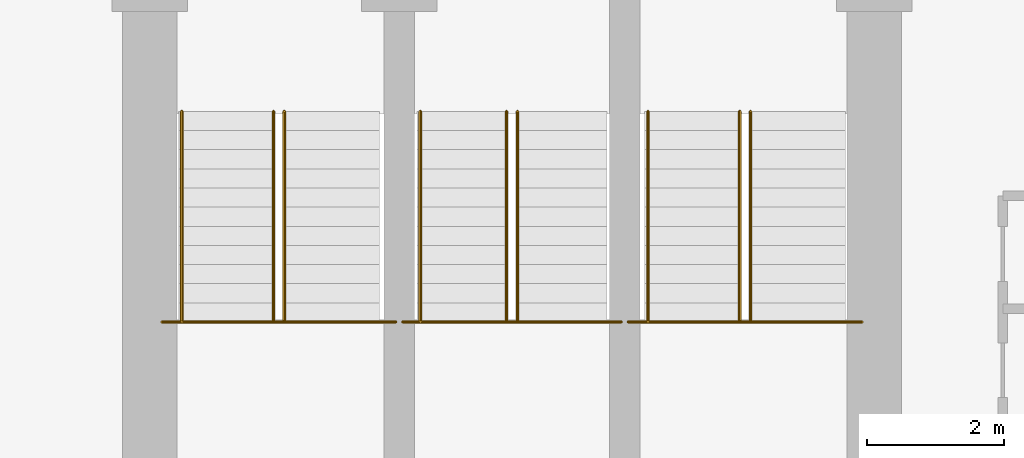
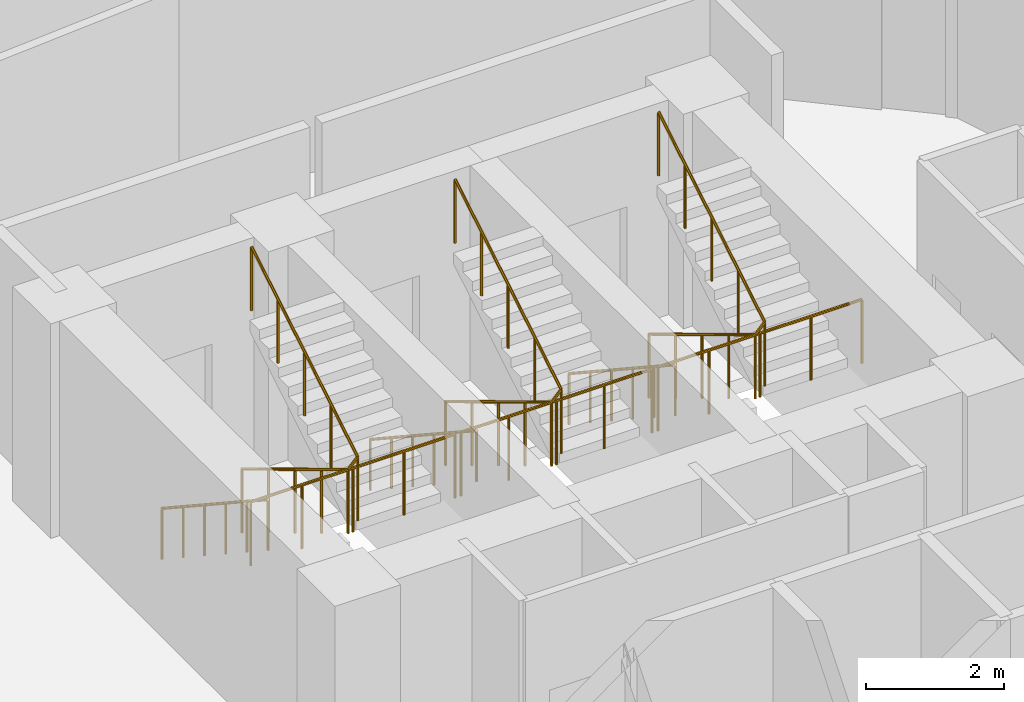
# One storey, part 25 of 25: 9 railings.
"""IFC4 building model written with IfcOpenShell, lengths in metres."""

from ifc_helpers import new_model, si_unit, direction, frame, origin, place, context, subcontext, project, spatial, polyline, outline, extrude, material, type_object, element, save


model = new_model("IFC4")

# Units and contexts
model_context = context("Model", 3, precision=1e-05, world=origin(), true_north=direction((0.0, 1.0)))
body_context = subcontext(model_context, "Body", "Model", "MODEL_VIEW")
ifc_project = project(units=[si_unit("LENGTHUNIT", "METRE"), si_unit("AREAUNIT", "SQUARE_METRE"), si_unit("VOLUMEUNIT", "CUBIC_METRE"), si_unit("PLANEANGLEUNIT", "RADIAN"), si_unit("MASSUNIT", "GRAM", prefix="KILO")], contexts=[model_context])

# Site, building, storey
site_placement = place(None, origin())
site = spatial("IfcSite", under=ifc_project, at=site_placement, CompositionType="ELEMENT")
building_placement = place(site_placement, origin())
building = spatial("IfcBuilding", under=site, at=building_placement, Name="Nuhasar Tower", CompositionType="ELEMENT")
storey_placement = place(building_placement, frame((0.0, 0.0, 57.449951171875)))
storey = spatial("IfcBuildingStorey", under=building, at=storey_placement, Name="L13", CompositionType="ELEMENT", Elevation=57.449951171875)

# Railings
ifc_material_1 = material(Name="Steel S355", Category="steel")
railing_type_1 = type_object("IfcRailingType", Name="RLG-STAIR-GUARD-1150", PredefinedType="GUARDRAIL", material=ifc_material_1)
railing_1_placement = place(storey_placement, frame((33.8798828125, 32.205078125, 2.025146484375)))
element("IfcRailing", 1, at=railing_1_placement, inside=storey, type_object=railing_type_1, Name="L13 Stair ST-01 Guardrail LND", PredefinedType="GUARDRAIL", context=body_context, shape_type="SweptSolid", body=[
    extrude(outline(polyline([(0.024169921875, 0.0), (0.01708984375, 0.01708984375), (0.0, 0.024169921875), (-0.01708984375, 0.01708984375), (-0.024169921875, 0.0), (-0.01708984375, -0.01708984375), (0.0, -0.024169921875), (0.01708984375, -0.01708984375), (0.024169921875, 0.0)])), frame((0.0, 0.0, 1.1259765625), z_axis=(1.0, 0.0, 0.0), x_axis=(0.0, 1.0, 0.0)), (0.0, 0.0, 1.0), 3.420166015625),
    extrude(outline(polyline([(0.02099609375, 0.0), (0.014892578125, 0.014892578125), (0.0, 0.02099609375), (-0.014892578125, 0.014892578125), (-0.02099609375, 0.0), (-0.014892578125, -0.014892578125), (0.0, -0.02099609375), (0.014892578125, -0.014892578125), (0.02099609375, 0.0)])), origin(), (0.0, 0.0, 1.0), 1.101806640625),
    extrude(outline(polyline([(0.02099609375, 0.0), (0.014892578125, 0.014892578125), (0.0, 0.02099609375), (-0.014892578125, 0.014892578125), (-0.02099609375, 0.0), (-0.014892578125, -0.014892578125), (0.0, -0.02099609375), (0.014892578125, -0.014892578125), (0.02099609375, 0.0)])), frame((0.85498046875, 0.0, 0.0)), (0.0, 0.0, 1.0), 1.101806640625),
    extrude(outline(polyline([(0.02099609375, 0.0), (0.014892578125, 0.014892578125), (0.0, 0.02099609375), (-0.014892578125, 0.014892578125), (-0.02099609375, 0.0), (-0.014892578125, -0.014892578125), (0.0, -0.02099609375), (0.014892578125, -0.014892578125), (0.02099609375, 0.0)])), frame((1.7099609375, 0.0, 0.0)), (0.0, 0.0, 1.0), 1.101806640625),
    extrude(outline(polyline([(0.02099609375, 0.0), (0.014892578125, 0.014892578125), (0.0, 0.02099609375), (-0.014892578125, 0.014892578125), (-0.02099609375, 0.0), (-0.014892578125, -0.014892578125), (0.0, -0.02099609375), (0.014892578125, -0.014892578125), (0.02099609375, 0.0)])), frame((2.565185546875, 0.0, 0.0)), (0.0, 0.0, 1.0), 1.101806640625),
    extrude(outline(polyline([(0.02099609375, 0.0), (0.014892578125, 0.014892578125), (0.0, 0.02099609375), (-0.014892578125, 0.014892578125), (-0.02099609375, 0.0), (-0.014892578125, -0.014892578125), (0.0, -0.02099609375), (0.014892578125, -0.014892578125), (0.02099609375, 0.0)])), frame((3.420166015625, 0.0, 0.0)), (0.0, 0.0, 1.0), 1.101806640625),
])
railing_2_placement = place(storey_placement, frame((35.510009765625, 35.284912109375, 0.1689453125)))
element("IfcRailing", 2, at=railing_2_placement, inside=storey, type_object=railing_type_1, Name="L13 Stair ST-01 Guardrail SLT", PredefinedType="GUARDRAIL", context=body_context, shape_type="SweptSolid", body=[
    extrude(outline(polyline([(0.024169921875, 0.0), (0.01708984375, 0.01708984375), (0.0, 0.024169921875), (-0.01708984375, 0.01708984375), (-0.024169921875, 0.0), (-0.01708984375, -0.01708984375), (0.0, -0.024169921875), (0.01708984375, -0.01708984375), (0.024169921875, 0.0)])), frame((0.0, 0.0, 1.1259765625), z_axis=(0.0, -0.8564728477, 0.51619207777), x_axis=(1.0, 0.0, 0.0)), (0.0, 0.0, 1.0), 3.595947265625),
    extrude(outline(polyline([(0.024169921875, 0.0), (0.01708984375, 0.01708984375), (0.0, 0.024169921875), (-0.01708984375, 0.01708984375), (-0.024169921875, 0.0), (-0.01708984375, -0.01708984375), (0.0, -0.024169921875), (0.01708984375, -0.01708984375), (0.024169921875, 0.0)])), frame((0.0, -3.079833984375, 2.98193359375), z_axis=(0.687424367727, 0.0, 0.726255973232), x_axis=(0.0, 1.0, 0.0)), (0.0, 0.0, 1.0), 0.232666015625),
    extrude(outline(polyline([(0.024169921875, 0.0), (0.01708984375, 0.01708984375), (0.0, 0.024169921875), (-0.01708984375, 0.01708984375), (-0.024169921875, 0.0), (-0.01708984375, -0.01708984375), (0.0, -0.024169921875), (0.01708984375, -0.01708984375), (0.024169921875, 0.0)])), frame((0.159912109375, -3.079833984375, 3.15087890625), z_axis=(0.0, 0.856502863198, 0.516142272377), x_axis=(-1.0, 0.0, 0.0)), (0.0, 0.0, 1.0), 3.595703125),
    extrude(outline(polyline([(0.02099609375, 0.0), (0.014892578125, 0.014892578125), (0.0, 0.02099609375), (-0.014892578125, 0.014892578125), (-0.02099609375, 0.0), (-0.014892578125, -0.014892578125), (0.0, -0.02099609375), (0.014892578125, -0.014892578125), (0.02099609375, 0.0)])), origin(), (0.0, 0.0, 1.0), 1.101806640625),
    extrude(outline(polyline([(0.02099609375, 0.0), (0.014892578125, 0.014892578125), (0.0, 0.02099609375), (-0.014892578125, 0.014892578125), (-0.02099609375, 0.0), (-0.014892578125, -0.014892578125), (0.0, -0.02099609375), (0.014892578125, -0.014892578125), (0.02099609375, 0.0)])), frame((0.0, -0.77001953125, 0.464111328125)), (0.0, 0.0, 1.0), 1.101806640625),
    extrude(outline(polyline([(0.02099609375, 0.0), (0.014892578125, 0.014892578125), (0.0, 0.02099609375), (-0.014892578125, 0.014892578125), (-0.02099609375, 0.0), (-0.014892578125, -0.014892578125), (0.0, -0.02099609375), (0.014892578125, -0.014892578125), (0.02099609375, 0.0)])), frame((0.0, -1.5400390625, 0.92822265625)), (0.0, 0.0, 1.0), 1.101806640625),
    extrude(outline(polyline([(0.02099609375, 0.0), (0.014892578125, 0.014892578125), (0.0, 0.02099609375), (-0.014892578125, 0.014892578125), (-0.02099609375, 0.0), (-0.014892578125, -0.014892578125), (0.0, -0.02099609375), (0.014892578125, -0.014892578125), (0.02099609375, 0.0)])), frame((0.0, -2.309814453125, 1.39208984375)), (0.0, 0.0, 1.0), 1.101806640625),
    extrude(outline(polyline([(0.02099609375, 0.0), (0.014892578125, 0.014892578125), (0.0, 0.02099609375), (-0.014892578125, 0.014892578125), (-0.02099609375, 0.0), (-0.014892578125, -0.014892578125), (0.0, -0.02099609375), (0.014892578125, -0.014892578125), (0.02099609375, 0.0)])), frame((0.0, -3.079833984375, 1.856201171875)), (0.0, 0.0, 1.0), 1.101806640625),
    extrude(outline(polyline([(0.02099609375, 0.0), (0.014892578125, 0.014892578125), (0.0, 0.02099609375), (-0.014892578125, 0.014892578125), (-0.02099609375, 0.0), (-0.014892578125, -0.014892578125), (0.0, -0.02099609375), (0.014892578125, -0.014892578125), (0.02099609375, 0.0)])), frame((0.159912109375, -3.079833984375, 2.025146484375)), (0.0, 0.0, 1.0), 1.101806640625),
    extrude(outline(polyline([(0.02099609375, 0.0), (0.014892578125, 0.014892578125), (0.0, 0.02099609375), (-0.014892578125, 0.014892578125), (-0.02099609375, 0.0), (-0.014892578125, -0.014892578125), (0.0, -0.02099609375), (0.014892578125, -0.014892578125), (0.02099609375, 0.0)])), frame((0.159912109375, -2.309814453125, 2.4892578125)), (0.0, 0.0, 1.0), 1.101806640625),
    extrude(outline(polyline([(0.02099609375, 0.0), (0.014892578125, 0.014892578125), (0.0, 0.02099609375), (-0.014892578125, 0.014892578125), (-0.02099609375, 0.0), (-0.014892578125, -0.014892578125), (0.0, -0.02099609375), (0.014892578125, -0.014892578125), (0.02099609375, 0.0)])), frame((0.159912109375, -1.5400390625, 2.953125)), (0.0, 0.0, 1.0), 1.101806640625),
    extrude(outline(polyline([(0.02099609375, 0.0), (0.014892578125, 0.014892578125), (0.0, 0.02099609375), (-0.014892578125, 0.014892578125), (-0.02099609375, 0.0), (-0.014892578125, -0.014892578125), (0.0, -0.02099609375), (0.014892578125, -0.014892578125), (0.02099609375, 0.0)])), frame((0.159912109375, -0.77001953125, 3.4169921875)), (0.0, 0.0, 1.0), 1.101806640625),
    extrude(outline(polyline([(0.02099609375, 0.0), (0.014892578125, 0.014892578125), (0.0, 0.02099609375), (-0.014892578125, 0.014892578125), (-0.02099609375, 0.0), (-0.014892578125, -0.014892578125), (0.0, -0.02099609375), (0.014892578125, -0.014892578125), (0.02099609375, 0.0)])), frame((0.159912109375, 0.0, 3.881103515625)), (0.0, 0.0, 1.0), 1.101806640625),
])
railing_3_placement = place(storey_placement, frame((37.39990234375, 32.205078125, 2.025146484375)))
element("IfcRailing", 3, at=railing_3_placement, inside=storey, type_object=railing_type_1, Name="L13 Stair ST-03 Guardrail LND", PredefinedType="GUARDRAIL", context=body_context, shape_type="SweptSolid", body=[
    extrude(outline(polyline([(0.024169921875, 0.0), (0.01708984375, 0.01708984375), (0.0, 0.024169921875), (-0.01708984375, 0.01708984375), (-0.024169921875, 0.0), (-0.01708984375, -0.01708984375), (0.0, -0.024169921875), (0.01708984375, -0.01708984375), (0.024169921875, 0.0)])), frame((0.0, 0.0, 1.1259765625), z_axis=(1.0, 0.0, 0.0), x_axis=(0.0, 1.0, 0.0)), (0.0, 0.0, 1.0), 3.2001953125),
    extrude(outline(polyline([(0.02099609375, 0.0), (0.014892578125, 0.014892578125), (0.0, 0.02099609375), (-0.014892578125, 0.014892578125), (-0.02099609375, 0.0), (-0.014892578125, -0.014892578125), (0.0, -0.02099609375), (0.014892578125, -0.014892578125), (0.02099609375, 0.0)])), origin(), (0.0, 0.0, 1.0), 1.101806640625),
    extrude(outline(polyline([(0.02099609375, 0.0), (0.014892578125, 0.014892578125), (0.0, 0.02099609375), (-0.014892578125, 0.014892578125), (-0.02099609375, 0.0), (-0.014892578125, -0.014892578125), (0.0, -0.02099609375), (0.014892578125, -0.014892578125), (0.02099609375, 0.0)])), frame((0.800048828125, 0.0, 0.0)), (0.0, 0.0, 1.0), 1.101806640625),
    extrude(outline(polyline([(0.02099609375, 0.0), (0.014892578125, 0.014892578125), (0.0, 0.02099609375), (-0.014892578125, 0.014892578125), (-0.02099609375, 0.0), (-0.014892578125, -0.014892578125), (0.0, -0.02099609375), (0.014892578125, -0.014892578125), (0.02099609375, 0.0)])), frame((1.60009765625, 0.0, 0.0)), (0.0, 0.0, 1.0), 1.101806640625),
    extrude(outline(polyline([(0.02099609375, 0.0), (0.014892578125, 0.014892578125), (0.0, 0.02099609375), (-0.014892578125, 0.014892578125), (-0.02099609375, 0.0), (-0.014892578125, -0.014892578125), (0.0, -0.02099609375), (0.014892578125, -0.014892578125), (0.02099609375, 0.0)])), frame((2.400146484375, 0.0, 0.0)), (0.0, 0.0, 1.0), 1.101806640625),
    extrude(outline(polyline([(0.02099609375, 0.0), (0.014892578125, 0.014892578125), (0.0, 0.02099609375), (-0.014892578125, 0.014892578125), (-0.02099609375, 0.0), (-0.014892578125, -0.014892578125), (0.0, -0.02099609375), (0.014892578125, -0.014892578125), (0.02099609375, 0.0)])), frame((3.2001953125, 0.0, 0.0)), (0.0, 0.0, 1.0), 1.101806640625),
])
railing_4_placement = place(storey_placement, frame((38.919921875, 35.284912109375, 0.1689453125)))
element("IfcRailing", 4, at=railing_4_placement, inside=storey, type_object=railing_type_1, Name="L13 Stair ST-03 Guardrail SLT", PredefinedType="GUARDRAIL", context=body_context, shape_type="SweptSolid", body=[
    extrude(outline(polyline([(0.024169921875, 0.0), (0.01708984375, 0.01708984375), (0.0, 0.024169921875), (-0.01708984375, 0.01708984375), (-0.024169921875, 0.0), (-0.01708984375, -0.01708984375), (0.0, -0.024169921875), (0.01708984375, -0.01708984375), (0.024169921875, 0.0)])), frame((0.0, 0.0, 1.1259765625), z_axis=(0.0, -0.8564728477, 0.51619207777), x_axis=(1.0, 0.0, 0.0)), (0.0, 0.0, 1.0), 3.595947265625),
    extrude(outline(polyline([(0.024169921875, 0.0), (0.01708984375, 0.01708984375), (0.0, 0.024169921875), (-0.01708984375, 0.01708984375), (-0.024169921875, 0.0), (-0.01708984375, -0.01708984375), (0.0, -0.024169921875), (0.01708984375, -0.01708984375), (0.024169921875, 0.0)])), frame((0.0, -3.079833984375, 2.98193359375), z_axis=(0.687977326998, 0.0, 0.725732180309), x_axis=(0.0, 1.0, 0.0)), (0.0, 0.0, 1.0), 0.23291015625),
    extrude(outline(polyline([(0.024169921875, 0.0), (0.01708984375, 0.01708984375), (0.0, 0.024169921875), (-0.01708984375, 0.01708984375), (-0.024169921875, 0.0), (-0.01708984375, -0.01708984375), (0.0, -0.024169921875), (0.01708984375, -0.01708984375), (0.024169921875, 0.0)])), frame((0.16015625, -3.079833984375, 3.15087890625), z_axis=(0.0, 0.856502863198, 0.516142272377), x_axis=(-1.0, 0.0, 0.0)), (0.0, 0.0, 1.0), 3.595703125),
    extrude(outline(polyline([(0.02099609375, 0.0), (0.014892578125, 0.014892578125), (0.0, 0.02099609375), (-0.014892578125, 0.014892578125), (-0.02099609375, 0.0), (-0.014892578125, -0.014892578125), (0.0, -0.02099609375), (0.014892578125, -0.014892578125), (0.02099609375, 0.0)])), origin(), (0.0, 0.0, 1.0), 1.101806640625),
    extrude(outline(polyline([(0.02099609375, 0.0), (0.014892578125, 0.014892578125), (0.0, 0.02099609375), (-0.014892578125, 0.014892578125), (-0.02099609375, 0.0), (-0.014892578125, -0.014892578125), (0.0, -0.02099609375), (0.014892578125, -0.014892578125), (0.02099609375, 0.0)])), frame((0.0, -0.77001953125, 0.464111328125)), (0.0, 0.0, 1.0), 1.101806640625),
    extrude(outline(polyline([(0.02099609375, 0.0), (0.014892578125, 0.014892578125), (0.0, 0.02099609375), (-0.014892578125, 0.014892578125), (-0.02099609375, 0.0), (-0.014892578125, -0.014892578125), (0.0, -0.02099609375), (0.014892578125, -0.014892578125), (0.02099609375, 0.0)])), frame((0.0, -1.5400390625, 0.92822265625)), (0.0, 0.0, 1.0), 1.101806640625),
    extrude(outline(polyline([(0.02099609375, 0.0), (0.014892578125, 0.014892578125), (0.0, 0.02099609375), (-0.014892578125, 0.014892578125), (-0.02099609375, 0.0), (-0.014892578125, -0.014892578125), (0.0, -0.02099609375), (0.014892578125, -0.014892578125), (0.02099609375, 0.0)])), frame((0.0, -2.309814453125, 1.39208984375)), (0.0, 0.0, 1.0), 1.101806640625),
    extrude(outline(polyline([(0.02099609375, 0.0), (0.014892578125, 0.014892578125), (0.0, 0.02099609375), (-0.014892578125, 0.014892578125), (-0.02099609375, 0.0), (-0.014892578125, -0.014892578125), (0.0, -0.02099609375), (0.014892578125, -0.014892578125), (0.02099609375, 0.0)])), frame((0.0, -3.079833984375, 1.856201171875)), (0.0, 0.0, 1.0), 1.101806640625),
    extrude(outline(polyline([(0.02099609375, 0.0), (0.014892578125, 0.014892578125), (0.0, 0.02099609375), (-0.014892578125, 0.014892578125), (-0.02099609375, 0.0), (-0.014892578125, -0.014892578125), (0.0, -0.02099609375), (0.014892578125, -0.014892578125), (0.02099609375, 0.0)])), frame((0.16015625, -3.079833984375, 2.025146484375)), (0.0, 0.0, 1.0), 1.101806640625),
    extrude(outline(polyline([(0.02099609375, 0.0), (0.014892578125, 0.014892578125), (0.0, 0.02099609375), (-0.014892578125, 0.014892578125), (-0.02099609375, 0.0), (-0.014892578125, -0.014892578125), (0.0, -0.02099609375), (0.014892578125, -0.014892578125), (0.02099609375, 0.0)])), frame((0.16015625, -2.309814453125, 2.4892578125)), (0.0, 0.0, 1.0), 1.101806640625),
    extrude(outline(polyline([(0.02099609375, 0.0), (0.014892578125, 0.014892578125), (0.0, 0.02099609375), (-0.014892578125, 0.014892578125), (-0.02099609375, 0.0), (-0.014892578125, -0.014892578125), (0.0, -0.02099609375), (0.014892578125, -0.014892578125), (0.02099609375, 0.0)])), frame((0.16015625, -1.5400390625, 2.953125)), (0.0, 0.0, 1.0), 1.101806640625),
    extrude(outline(polyline([(0.02099609375, 0.0), (0.014892578125, 0.014892578125), (0.0, 0.02099609375), (-0.014892578125, 0.014892578125), (-0.02099609375, 0.0), (-0.014892578125, -0.014892578125), (0.0, -0.02099609375), (0.014892578125, -0.014892578125), (0.02099609375, 0.0)])), frame((0.16015625, -0.77001953125, 3.4169921875)), (0.0, 0.0, 1.0), 1.101806640625),
    extrude(outline(polyline([(0.02099609375, 0.0), (0.014892578125, 0.014892578125), (0.0, 0.02099609375), (-0.014892578125, 0.014892578125), (-0.02099609375, 0.0), (-0.014892578125, -0.014892578125), (0.0, -0.02099609375), (0.014892578125, -0.014892578125), (0.02099609375, 0.0)])), frame((0.16015625, 0.0, 3.881103515625)), (0.0, 0.0, 1.0), 1.101806640625),
])
railing_5_placement = place(storey_placement, frame((40.699951171875, 32.205078125, 2.025146484375)))
element("IfcRailing", 5, at=railing_5_placement, inside=storey, type_object=railing_type_1, Name="L13 Stair ST-02 Guardrail LND", PredefinedType="GUARDRAIL", context=body_context, shape_type="SweptSolid", body=[
    extrude(outline(polyline([(0.024169921875, 0.0), (0.01708984375, 0.01708984375), (0.0, 0.024169921875), (-0.01708984375, 0.01708984375), (-0.024169921875, 0.0), (-0.01708984375, -0.01708984375), (0.0, -0.024169921875), (0.01708984375, -0.01708984375), (0.024169921875, 0.0)])), frame((0.0, 0.0, 1.1259765625), z_axis=(1.0, 0.0, 0.0), x_axis=(0.0, 1.0, 0.0)), (0.0, 0.0, 1.0), 3.420166015625),
    extrude(outline(polyline([(0.02099609375, 0.0), (0.014892578125, 0.014892578125), (0.0, 0.02099609375), (-0.014892578125, 0.014892578125), (-0.02099609375, 0.0), (-0.014892578125, -0.014892578125), (0.0, -0.02099609375), (0.014892578125, -0.014892578125), (0.02099609375, 0.0)])), origin(), (0.0, 0.0, 1.0), 1.101806640625),
    extrude(outline(polyline([(0.02099609375, 0.0), (0.014892578125, 0.014892578125), (0.0, 0.02099609375), (-0.014892578125, 0.014892578125), (-0.02099609375, 0.0), (-0.014892578125, -0.014892578125), (0.0, -0.02099609375), (0.014892578125, -0.014892578125), (0.02099609375, 0.0)])), frame((0.85498046875, 0.0, 0.0)), (0.0, 0.0, 1.0), 1.101806640625),
    extrude(outline(polyline([(0.02099609375, 0.0), (0.014892578125, 0.014892578125), (0.0, 0.02099609375), (-0.014892578125, 0.014892578125), (-0.02099609375, 0.0), (-0.014892578125, -0.014892578125), (0.0, -0.02099609375), (0.014892578125, -0.014892578125), (0.02099609375, 0.0)])), frame((1.7099609375, 0.0, 0.0)), (0.0, 0.0, 1.0), 1.101806640625),
    extrude(outline(polyline([(0.02099609375, 0.0), (0.014892578125, 0.014892578125), (0.0, 0.02099609375), (-0.014892578125, 0.014892578125), (-0.02099609375, 0.0), (-0.014892578125, -0.014892578125), (0.0, -0.02099609375), (0.014892578125, -0.014892578125), (0.02099609375, 0.0)])), frame((2.565185546875, 0.0, 0.0)), (0.0, 0.0, 1.0), 1.101806640625),
    extrude(outline(polyline([(0.02099609375, 0.0), (0.014892578125, 0.014892578125), (0.0, 0.02099609375), (-0.014892578125, 0.014892578125), (-0.02099609375, 0.0), (-0.014892578125, -0.014892578125), (0.0, -0.02099609375), (0.014892578125, -0.014892578125), (0.02099609375, 0.0)])), frame((3.420166015625, 0.0, 0.0)), (0.0, 0.0, 1.0), 1.101806640625),
])
railing_6_placement = place(storey_placement, frame((42.330078125, 35.284912109375, 0.1689453125)))
element("IfcRailing", 6, at=railing_6_placement, inside=storey, type_object=railing_type_1, Name="L13 Stair ST-02 Guardrail SLT", PredefinedType="GUARDRAIL", context=body_context, shape_type="SweptSolid", body=[
    extrude(outline(polyline([(0.024169921875, 0.0), (0.01708984375, 0.01708984375), (0.0, 0.024169921875), (-0.01708984375, 0.01708984375), (-0.024169921875, 0.0), (-0.01708984375, -0.01708984375), (0.0, -0.024169921875), (0.01708984375, -0.01708984375), (0.024169921875, 0.0)])), frame((0.0, 0.0, 1.1259765625), z_axis=(0.0, -0.8564728477, 0.51619207777), x_axis=(1.0, 0.0, 0.0)), (0.0, 0.0, 1.0), 3.595947265625),
    extrude(outline(polyline([(0.024169921875, 0.0), (0.01708984375, 0.01708984375), (0.0, 0.024169921875), (-0.01708984375, 0.01708984375), (-0.024169921875, 0.0), (-0.01708984375, -0.01708984375), (0.0, -0.024169921875), (0.01708984375, -0.01708984375), (0.024169921875, 0.0)])), frame((0.0, -3.079833984375, 2.98193359375), z_axis=(0.687424367727, 0.0, 0.726255973232), x_axis=(0.0, 1.0, 0.0)), (0.0, 0.0, 1.0), 0.232666015625),
    extrude(outline(polyline([(0.024169921875, 0.0), (0.01708984375, 0.01708984375), (0.0, 0.024169921875), (-0.01708984375, 0.01708984375), (-0.024169921875, 0.0), (-0.01708984375, -0.01708984375), (0.0, -0.024169921875), (0.01708984375, -0.01708984375), (0.024169921875, 0.0)])), frame((0.159912109375, -3.079833984375, 3.15087890625), z_axis=(0.0, 0.856502863198, 0.516142272377), x_axis=(-1.0, 0.0, 0.0)), (0.0, 0.0, 1.0), 3.595703125),
    extrude(outline(polyline([(0.02099609375, 0.0), (0.014892578125, 0.014892578125), (0.0, 0.02099609375), (-0.014892578125, 0.014892578125), (-0.02099609375, 0.0), (-0.014892578125, -0.014892578125), (0.0, -0.02099609375), (0.014892578125, -0.014892578125), (0.02099609375, 0.0)])), origin(), (0.0, 0.0, 1.0), 1.101806640625),
    extrude(outline(polyline([(0.02099609375, 0.0), (0.014892578125, 0.014892578125), (0.0, 0.02099609375), (-0.014892578125, 0.014892578125), (-0.02099609375, 0.0), (-0.014892578125, -0.014892578125), (0.0, -0.02099609375), (0.014892578125, -0.014892578125), (0.02099609375, 0.0)])), frame((0.0, -0.77001953125, 0.464111328125)), (0.0, 0.0, 1.0), 1.101806640625),
    extrude(outline(polyline([(0.02099609375, 0.0), (0.014892578125, 0.014892578125), (0.0, 0.02099609375), (-0.014892578125, 0.014892578125), (-0.02099609375, 0.0), (-0.014892578125, -0.014892578125), (0.0, -0.02099609375), (0.014892578125, -0.014892578125), (0.02099609375, 0.0)])), frame((0.0, -1.5400390625, 0.92822265625)), (0.0, 0.0, 1.0), 1.101806640625),
    extrude(outline(polyline([(0.02099609375, 0.0), (0.014892578125, 0.014892578125), (0.0, 0.02099609375), (-0.014892578125, 0.014892578125), (-0.02099609375, 0.0), (-0.014892578125, -0.014892578125), (0.0, -0.02099609375), (0.014892578125, -0.014892578125), (0.02099609375, 0.0)])), frame((0.0, -2.309814453125, 1.39208984375)), (0.0, 0.0, 1.0), 1.101806640625),
    extrude(outline(polyline([(0.02099609375, 0.0), (0.014892578125, 0.014892578125), (0.0, 0.02099609375), (-0.014892578125, 0.014892578125), (-0.02099609375, 0.0), (-0.014892578125, -0.014892578125), (0.0, -0.02099609375), (0.014892578125, -0.014892578125), (0.02099609375, 0.0)])), frame((0.0, -3.079833984375, 1.856201171875)), (0.0, 0.0, 1.0), 1.101806640625),
    extrude(outline(polyline([(0.02099609375, 0.0), (0.014892578125, 0.014892578125), (0.0, 0.02099609375), (-0.014892578125, 0.014892578125), (-0.02099609375, 0.0), (-0.014892578125, -0.014892578125), (0.0, -0.02099609375), (0.014892578125, -0.014892578125), (0.02099609375, 0.0)])), frame((0.159912109375, -3.079833984375, 2.025146484375)), (0.0, 0.0, 1.0), 1.101806640625),
    extrude(outline(polyline([(0.02099609375, 0.0), (0.014892578125, 0.014892578125), (0.0, 0.02099609375), (-0.014892578125, 0.014892578125), (-0.02099609375, 0.0), (-0.014892578125, -0.014892578125), (0.0, -0.02099609375), (0.014892578125, -0.014892578125), (0.02099609375, 0.0)])), frame((0.159912109375, -2.309814453125, 2.4892578125)), (0.0, 0.0, 1.0), 1.101806640625),
    extrude(outline(polyline([(0.02099609375, 0.0), (0.014892578125, 0.014892578125), (0.0, 0.02099609375), (-0.014892578125, 0.014892578125), (-0.02099609375, 0.0), (-0.014892578125, -0.014892578125), (0.0, -0.02099609375), (0.014892578125, -0.014892578125), (0.02099609375, 0.0)])), frame((0.159912109375, -1.5400390625, 2.953125)), (0.0, 0.0, 1.0), 1.101806640625),
    extrude(outline(polyline([(0.02099609375, 0.0), (0.014892578125, 0.014892578125), (0.0, 0.02099609375), (-0.014892578125, 0.014892578125), (-0.02099609375, 0.0), (-0.014892578125, -0.014892578125), (0.0, -0.02099609375), (0.014892578125, -0.014892578125), (0.02099609375, 0.0)])), frame((0.159912109375, -0.77001953125, 3.4169921875)), (0.0, 0.0, 1.0), 1.101806640625),
    extrude(outline(polyline([(0.02099609375, 0.0), (0.014892578125, 0.014892578125), (0.0, 0.02099609375), (-0.014892578125, 0.014892578125), (-0.02099609375, 0.0), (-0.014892578125, -0.014892578125), (0.0, -0.02099609375), (0.014892578125, -0.014892578125), (0.02099609375, 0.0)])), frame((0.159912109375, 0.0, 3.881103515625)), (0.0, 0.0, 1.0), 1.101806640625),
])
ifc_material_2 = material(Name="Stainless Steel 316L", Category="steel")
railing_type_2 = type_object("IfcRailingType", Name="RLG-STAIR-HAND-920", PredefinedType="HANDRAIL", material=ifc_material_2)
railing_7_placement = place(storey_placement, frame((34.169921875, 35.284912109375, 0.1689453125)))
element("IfcRailing", 7, at=railing_7_placement, inside=storey, type_object=railing_type_2, Name="L13 Stair ST-01 Handrail HND1", PredefinedType="HANDRAIL", context=body_context, shape_type="SweptSolid", body=[
    extrude(outline(polyline([(0.024169921875, 0.0), (0.01708984375, 0.01708984375), (0.0, 0.024169921875), (-0.01708984375, 0.01708984375), (-0.024169921875, 0.0), (-0.01708984375, -0.01708984375), (0.0, -0.024169921875), (0.01708984375, -0.01708984375), (0.024169921875, 0.0)])), frame((0.0, 0.0, 0.89599609375), z_axis=(0.0, -0.835549111106, 0.549415765091), x_axis=(1.0, 0.0, 0.0)), (0.0, 0.0, 1.0), 3.68603515625),
    extrude(outline(polyline([(0.02099609375, 0.0), (0.014892578125, 0.014892578125), (0.0, 0.02099609375), (-0.014892578125, 0.014892578125), (-0.02099609375, 0.0), (-0.014892578125, -0.014892578125), (0.0, -0.02099609375), (0.014892578125, -0.014892578125), (0.02099609375, 0.0)])), origin(), (0.0, 0.0, 1.0), 0.871826171875),
    extrude(outline(polyline([(0.02099609375, 0.0), (0.014892578125, 0.014892578125), (0.0, 0.02099609375), (-0.014892578125, 0.014892578125), (-0.02099609375, 0.0), (-0.014892578125, -0.014892578125), (0.0, -0.02099609375), (0.014892578125, -0.014892578125), (0.02099609375, 0.0)])), frame((0.0, -0.615966796875, 0.405029296875)), (0.0, 0.0, 1.0), 0.871826171875),
    extrude(outline(polyline([(0.02099609375, 0.0), (0.014892578125, 0.014892578125), (0.0, 0.02099609375), (-0.014892578125, 0.014892578125), (-0.02099609375, 0.0), (-0.014892578125, -0.014892578125), (0.0, -0.02099609375), (0.014892578125, -0.014892578125), (0.02099609375, 0.0)])), frame((0.0, -1.23193359375, 0.81005859375)), (0.0, 0.0, 1.0), 0.871826171875),
    extrude(outline(polyline([(0.02099609375, 0.0), (0.014892578125, 0.014892578125), (0.0, 0.02099609375), (-0.014892578125, 0.014892578125), (-0.02099609375, 0.0), (-0.014892578125, -0.014892578125), (0.0, -0.02099609375), (0.014892578125, -0.014892578125), (0.02099609375, 0.0)])), frame((0.0, -1.847900390625, 1.215087890625)), (0.0, 0.0, 1.0), 0.871826171875),
    extrude(outline(polyline([(0.02099609375, 0.0), (0.014892578125, 0.014892578125), (0.0, 0.02099609375), (-0.014892578125, 0.014892578125), (-0.02099609375, 0.0), (-0.014892578125, -0.014892578125), (0.0, -0.02099609375), (0.014892578125, -0.014892578125), (0.02099609375, 0.0)])), frame((0.0, -2.4638671875, 1.6201171875)), (0.0, 0.0, 1.0), 0.871826171875),
    extrude(outline(polyline([(0.02099609375, 0.0), (0.014892578125, 0.014892578125), (0.0, 0.02099609375), (-0.014892578125, 0.014892578125), (-0.02099609375, 0.0), (-0.014892578125, -0.014892578125), (0.0, -0.02099609375), (0.014892578125, -0.014892578125), (0.02099609375, 0.0)])), frame((0.0, -3.079833984375, 2.025146484375)), (0.0, 0.0, 1.0), 0.871826171875),
])
railing_8_placement = place(storey_placement, frame((37.659912109375, 35.284912109375, 0.1689453125)))
element("IfcRailing", 8, at=railing_8_placement, inside=storey, type_object=railing_type_2, Name="L13 Stair ST-03 Handrail HND1", PredefinedType="HANDRAIL", context=body_context, shape_type="SweptSolid", body=[
    extrude(outline(polyline([(0.024169921875, 0.0), (0.01708984375, 0.01708984375), (0.0, 0.024169921875), (-0.01708984375, 0.01708984375), (-0.024169921875, 0.0), (-0.01708984375, -0.01708984375), (0.0, -0.024169921875), (0.01708984375, -0.01708984375), (0.024169921875, 0.0)])), frame((0.0, 0.0, 0.89599609375), z_axis=(0.0, -0.835549111106, 0.549415765091), x_axis=(1.0, 0.0, 0.0)), (0.0, 0.0, 1.0), 3.68603515625),
    extrude(outline(polyline([(0.02099609375, 0.0), (0.014892578125, 0.014892578125), (0.0, 0.02099609375), (-0.014892578125, 0.014892578125), (-0.02099609375, 0.0), (-0.014892578125, -0.014892578125), (0.0, -0.02099609375), (0.014892578125, -0.014892578125), (0.02099609375, 0.0)])), origin(), (0.0, 0.0, 1.0), 0.871826171875),
    extrude(outline(polyline([(0.02099609375, 0.0), (0.014892578125, 0.014892578125), (0.0, 0.02099609375), (-0.014892578125, 0.014892578125), (-0.02099609375, 0.0), (-0.014892578125, -0.014892578125), (0.0, -0.02099609375), (0.014892578125, -0.014892578125), (0.02099609375, 0.0)])), frame((0.0, -0.615966796875, 0.405029296875)), (0.0, 0.0, 1.0), 0.871826171875),
    extrude(outline(polyline([(0.02099609375, 0.0), (0.014892578125, 0.014892578125), (0.0, 0.02099609375), (-0.014892578125, 0.014892578125), (-0.02099609375, 0.0), (-0.014892578125, -0.014892578125), (0.0, -0.02099609375), (0.014892578125, -0.014892578125), (0.02099609375, 0.0)])), frame((0.0, -1.23193359375, 0.81005859375)), (0.0, 0.0, 1.0), 0.871826171875),
    extrude(outline(polyline([(0.02099609375, 0.0), (0.014892578125, 0.014892578125), (0.0, 0.02099609375), (-0.014892578125, 0.014892578125), (-0.02099609375, 0.0), (-0.014892578125, -0.014892578125), (0.0, -0.02099609375), (0.014892578125, -0.014892578125), (0.02099609375, 0.0)])), frame((0.0, -1.847900390625, 1.215087890625)), (0.0, 0.0, 1.0), 0.871826171875),
    extrude(outline(polyline([(0.02099609375, 0.0), (0.014892578125, 0.014892578125), (0.0, 0.02099609375), (-0.014892578125, 0.014892578125), (-0.02099609375, 0.0), (-0.014892578125, -0.014892578125), (0.0, -0.02099609375), (0.014892578125, -0.014892578125), (0.02099609375, 0.0)])), frame((0.0, -2.4638671875, 1.6201171875)), (0.0, 0.0, 1.0), 0.871826171875),
    extrude(outline(polyline([(0.02099609375, 0.0), (0.014892578125, 0.014892578125), (0.0, 0.02099609375), (-0.014892578125, 0.014892578125), (-0.02099609375, 0.0), (-0.014892578125, -0.014892578125), (0.0, -0.02099609375), (0.014892578125, -0.014892578125), (0.02099609375, 0.0)])), frame((0.0, -3.079833984375, 2.025146484375)), (0.0, 0.0, 1.0), 0.871826171875),
])
railing_9_placement = place(storey_placement, frame((40.989990234375, 35.284912109375, 0.1689453125)))
element("IfcRailing", 9, at=railing_9_placement, inside=storey, type_object=railing_type_2, Name="L13 Stair ST-02 Handrail HND1", PredefinedType="HANDRAIL", context=body_context, shape_type="SweptSolid", body=[
    extrude(outline(polyline([(0.024169921875, 0.0), (0.01708984375, 0.01708984375), (0.0, 0.024169921875), (-0.01708984375, 0.01708984375), (-0.024169921875, 0.0), (-0.01708984375, -0.01708984375), (0.0, -0.024169921875), (0.01708984375, -0.01708984375), (0.024169921875, 0.0)])), frame((0.0, 0.0, 0.89599609375), z_axis=(0.0, -0.835549111106, 0.549415765091), x_axis=(1.0, 0.0, 0.0)), (0.0, 0.0, 1.0), 3.68603515625),
    extrude(outline(polyline([(0.02099609375, 0.0), (0.014892578125, 0.014892578125), (0.0, 0.02099609375), (-0.014892578125, 0.014892578125), (-0.02099609375, 0.0), (-0.014892578125, -0.014892578125), (0.0, -0.02099609375), (0.014892578125, -0.014892578125), (0.02099609375, 0.0)])), origin(), (0.0, 0.0, 1.0), 0.871826171875),
    extrude(outline(polyline([(0.02099609375, 0.0), (0.014892578125, 0.014892578125), (0.0, 0.02099609375), (-0.014892578125, 0.014892578125), (-0.02099609375, 0.0), (-0.014892578125, -0.014892578125), (0.0, -0.02099609375), (0.014892578125, -0.014892578125), (0.02099609375, 0.0)])), frame((0.0, -0.615966796875, 0.405029296875)), (0.0, 0.0, 1.0), 0.871826171875),
    extrude(outline(polyline([(0.02099609375, 0.0), (0.014892578125, 0.014892578125), (0.0, 0.02099609375), (-0.014892578125, 0.014892578125), (-0.02099609375, 0.0), (-0.014892578125, -0.014892578125), (0.0, -0.02099609375), (0.014892578125, -0.014892578125), (0.02099609375, 0.0)])), frame((0.0, -1.23193359375, 0.81005859375)), (0.0, 0.0, 1.0), 0.871826171875),
    extrude(outline(polyline([(0.02099609375, 0.0), (0.014892578125, 0.014892578125), (0.0, 0.02099609375), (-0.014892578125, 0.014892578125), (-0.02099609375, 0.0), (-0.014892578125, -0.014892578125), (0.0, -0.02099609375), (0.014892578125, -0.014892578125), (0.02099609375, 0.0)])), frame((0.0, -1.847900390625, 1.215087890625)), (0.0, 0.0, 1.0), 0.871826171875),
    extrude(outline(polyline([(0.02099609375, 0.0), (0.014892578125, 0.014892578125), (0.0, 0.02099609375), (-0.014892578125, 0.014892578125), (-0.02099609375, 0.0), (-0.014892578125, -0.014892578125), (0.0, -0.02099609375), (0.014892578125, -0.014892578125), (0.02099609375, 0.0)])), frame((0.0, -2.4638671875, 1.6201171875)), (0.0, 0.0, 1.0), 0.871826171875),
    extrude(outline(polyline([(0.02099609375, 0.0), (0.014892578125, 0.014892578125), (0.0, 0.02099609375), (-0.014892578125, 0.014892578125), (-0.02099609375, 0.0), (-0.014892578125, -0.014892578125), (0.0, -0.02099609375), (0.014892578125, -0.014892578125), (0.02099609375, 0.0)])), frame((0.0, -3.079833984375, 2.025146484375)), (0.0, 0.0, 1.0), 0.871826171875),
])

save(model, "model.ifc")
